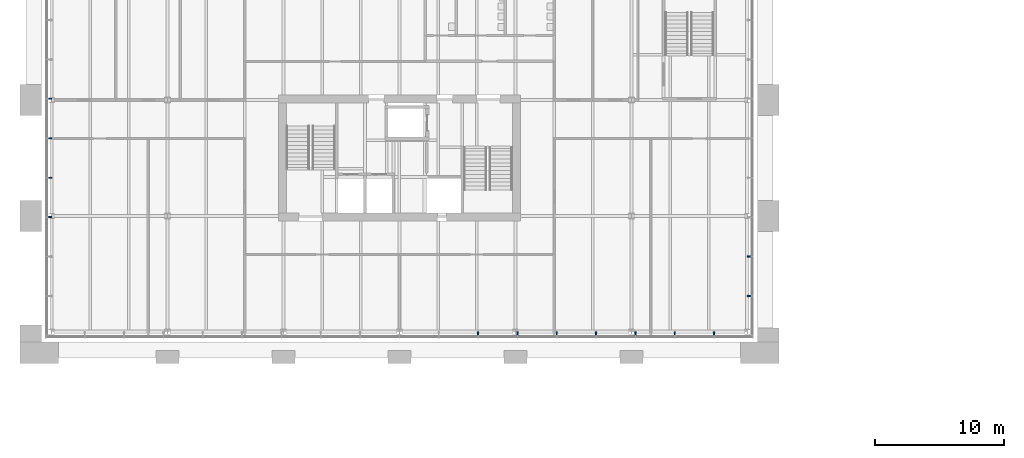
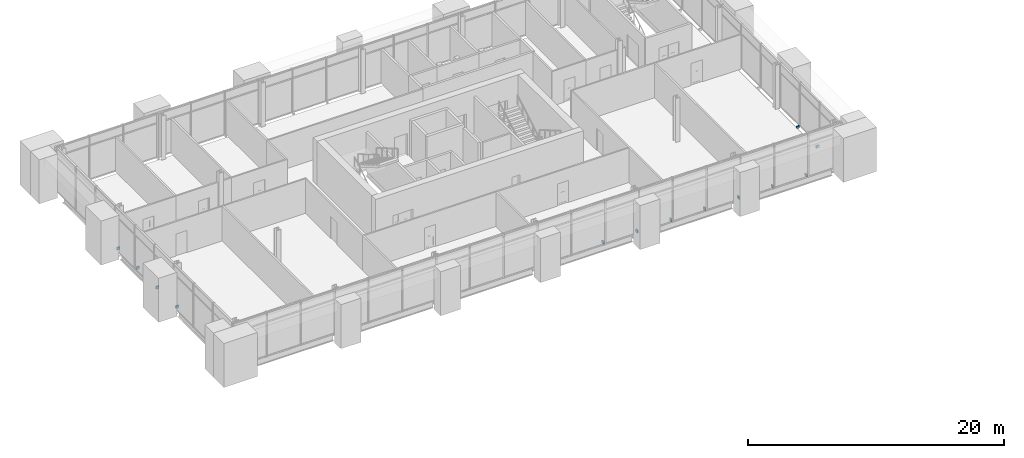
# One storey, part 33 of 43: 13 discrete accessories.
"""IFC4 building model written with IfcOpenShell, lengths in metres."""

from ifc_helpers import new_model, si_unit, direction, frame, origin, origin_2d, place, context, subcontext, project, spatial, rectangle, extrude, material, type_object, element, save


model = new_model("IFC4")

# Units and contexts
model_context = context("Model", 3, precision=1e-05, world=origin(), true_north=direction((0.0, 1.0)))
body_context = subcontext(model_context, "Body", "Model", "MODEL_VIEW")
ifc_project = project(units=[si_unit("LENGTHUNIT", "METRE"), si_unit("AREAUNIT", "SQUARE_METRE"), si_unit("VOLUMEUNIT", "CUBIC_METRE"), si_unit("PLANEANGLEUNIT", "RADIAN"), si_unit("MASSUNIT", "GRAM", prefix="KILO")], contexts=[model_context])

# Site, building, storey
site_placement = place(None, origin())
site = spatial("IfcSite", under=ifc_project, at=site_placement, CompositionType="ELEMENT")
building_placement = place(site_placement, origin())
building = spatial("IfcBuilding", under=site, at=building_placement, Name="Baradari Gate Terminus", CompositionType="ELEMENT")
storey_placement = place(building_placement, frame((0.0, 0.0, 20.10009765625)))
storey = spatial("IfcBuildingStorey", under=building, at=storey_placement, Name="L04", CompositionType="ELEMENT", Elevation=20.10009765625)

# Discrete accessories
ifc_material = material(Name="Aluminium 6063-T6", Category="aluminium")
discrete_accessory_type = type_object("IfcDiscreteAccessoryType", Name="Curtain wall bracket BK-1 100x250", PredefinedType="BRACKET", material=ifc_material)
for number, where, z_axis, x_axis, name in (
    (1, (42.1044921875, 116.864990234375, -0.10009765625), (0.0, 0.0, 1.0), (0.0, -1.0, 0.0), "Curtain wall bracket BK-1 L04/TS mullion 12"),
    (2, (45.15673828125, 116.864990234375, -0.10009765625), (0.0, 0.0, 1.0), (0.0, -1.0, 0.0), "Curtain wall bracket BK-1 L04/TS mullion 13"),
    (3, (48.208984375, 116.864990234375, -0.10009765625), (0.0, 0.0, 1.0), (0.0, -1.0, 0.0), "Curtain wall bracket BK-1 L04/TS mullion 14"),
    (4, (51.26123046875, 116.864990234375, -0.10009765625), (0.0, 0.0, 1.0), (0.0, -1.0, 0.0), "Curtain wall bracket BK-1 L04/TS mullion 15"),
    (5, (54.313232421875, 116.864990234375, -0.10009765625), (0.0, 0.0, 1.0), (0.0, -1.0, 0.0), "Curtain wall bracket BK-1 L04/TS mullion 16"),
    (6, (57.365478515625, 116.864990234375, -0.10009765625), (0.0, 0.0, 1.0), (0.0, -1.0, 0.0), "Curtain wall bracket BK-1 L04/TS mullion 17"),
    (7, (60.417724609375, 116.864990234375, -0.10009765625), (0.0, 0.0, 1.0), (0.0, -1.0, 0.0), "Curtain wall bracket BK-1 L04/TS mullion 18"),
    (8, (8.864990234375, 125.909912109375, -0.10009765625), (0.0, 0.0, 1.0), (-1.0, 0.0, 0.0), "Curtain wall bracket BK-1 L04/TW mullion 4"),
    (9, (8.864990234375, 128.969970703125, -0.10009765625), (0.0, 0.0, 1.0), (-1.0, 0.0, 0.0), "Curtain wall bracket BK-1 L04/TW mullion 5"),
    (10, (8.864990234375, 132.030029296875, -0.10009765625), (0.0, 0.0, 1.0), (-1.0, 0.0, 0.0), "Curtain wall bracket BK-1 L04/TW mullion 6"),
    (11, (8.864990234375, 135.090087890625, -0.10009765625), (0.0, 0.0, 1.0), (-1.0, 0.0, 0.0), "Curtain wall bracket BK-1 L04/TW mullion 7"),
    (12, (63.135009765625, 119.7900390625, -0.10009765625), (0.0, 0.0, 1.0), (1.0, 0.0, 0.0), "Curtain wall bracket BK-1 L04/TE mullion 2"),
    (13, (63.135009765625, 122.85009765625, -0.10009765625), (0.0, 0.0, 1.0), (1.0, 0.0, 0.0), "Curtain wall bracket BK-1 L04/TE mullion 3"),
):
    element("IfcDiscreteAccessory", number, at=place(storey_placement, frame(where, z_axis=z_axis, x_axis=x_axis)), inside=storey, type_object=discrete_accessory_type, Name=name, PredefinedType="BRACKET", context=body_context, shape_type="SweptSolid", body=[
        extrude(rectangle(XDim=0.27001953125, YDim=0.10009765625, at=origin_2d()), origin(), (0.0, 0.0, 1.0), 0.25),
    ])

save(model, "model.ifc")
